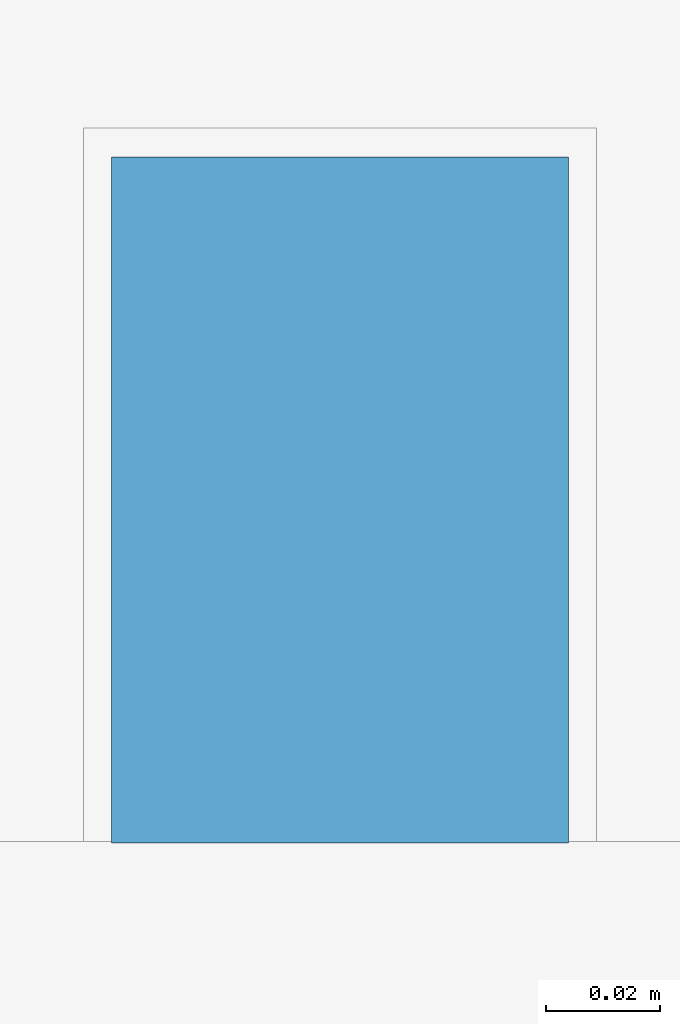
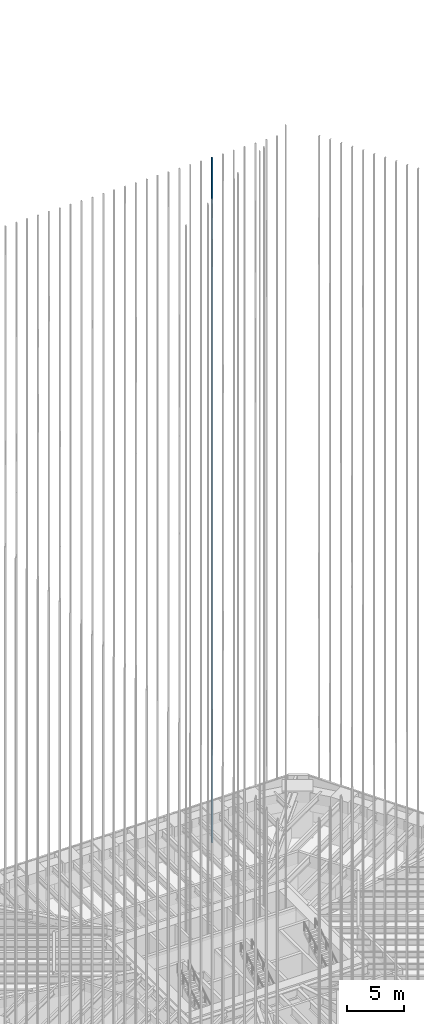
# One storey, part 208 of 228: 1 member, 1 element without a shape of its own.
"""IFC4 building model written with IfcOpenShell, lengths in metres."""

from ifc_helpers import new_model, si_unit, direction, frame, origin, origin_2d, place, context, subcontext, project, spatial, rectangle, extrude, material, material_profile, profile_set, type_object, element, aggregate, save


model = new_model("IFC4")

# Units and contexts
model_context = context("Model", 3, precision=1e-05, world=origin(), true_north=direction((0.0, 1.0)))
body_context = subcontext(model_context, "Body", "Model", "MODEL_VIEW")
ifc_project = project(units=[si_unit("LENGTHUNIT", "METRE"), si_unit("AREAUNIT", "SQUARE_METRE"), si_unit("VOLUMEUNIT", "CUBIC_METRE"), si_unit("PLANEANGLEUNIT", "RADIAN"), si_unit("MASSUNIT", "GRAM", prefix="KILO")], contexts=[model_context])

# Site, building, storey
site_placement = place(None, origin())
site = spatial("IfcSite", under=ifc_project, at=site_placement, CompositionType="ELEMENT")
building_placement = place(site_placement, origin())
building = spatial("IfcBuilding", under=site, at=building_placement, Name="Sandreach Pilgrim Tower", CompositionType="ELEMENT")
storey_placement = place(building_placement, frame((0.0, 0.0, 178.199951171875)))
storey = spatial("IfcBuildingStorey", under=building, at=storey_placement, Name="L44", CompositionType="ELEMENT", Elevation=178.199951171875)

# Curtain wall, member
ifc_material_1 = material(Name="Aluminium framed curtain wall", Category="aluminium")
curtain_wall_type = type_object("IfcCurtainWallType", Name="Upper hotel tower curtain wall", PredefinedType="NOTDEFINED", material=ifc_material_1)
curtain_wall_placement = place(storey_placement, origin())
curtain_wall = element("IfcCurtainWall", 1, at=curtain_wall_placement, inside=storey, type_object=curtain_wall_type, Name="CW-3 L44 N", PredefinedType="NOTDEFINED")
ifc_material_2 = material(Name="Extruded terracotta on aluminium core", Category="masonry")
ifc_material_profile = material_profile(ifc_material_2, rectangle(XDim=0.080078125, YDim=0.1201171875, at=origin_2d()), Name="TBN 80X120")
ifc_profile_set = profile_set([ifc_material_profile], Name="Extruded terracotta on aluminium core")
member_type = type_object("IfcMemberType", Name="Terracotta baguette north", PredefinedType="USERDEFINED", material=ifc_profile_set)
member_placement = place(storey_placement, frame((9.898681640625, 21.52001953125, 0.0), z_axis=(0.0, 0.0, 1.0), x_axis=(1.0, 0.0, 0.0)))
member = element("IfcMember", 2, at=member_placement, type_object=member_type, Name="Baguette Z3 N25", ObjectType="BAGUETTE", PredefinedType="USERDEFINED", context=body_context, shape_type="SweptSolid", body=[
    extrude(rectangle(XDim=0.080078125, YDim=0.1201171875, at=origin_2d()), origin(), (0.0, 0.0, 1.0), 73.239990234375),
])
aggregate(curtain_wall, [member])

save(model, "model.ifc")
